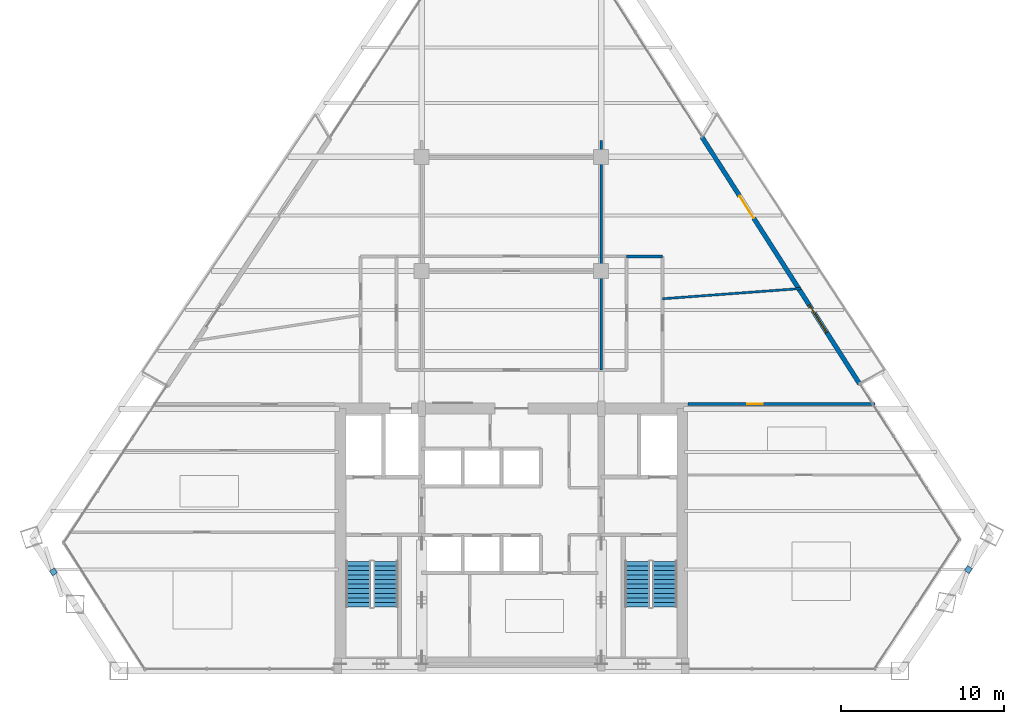
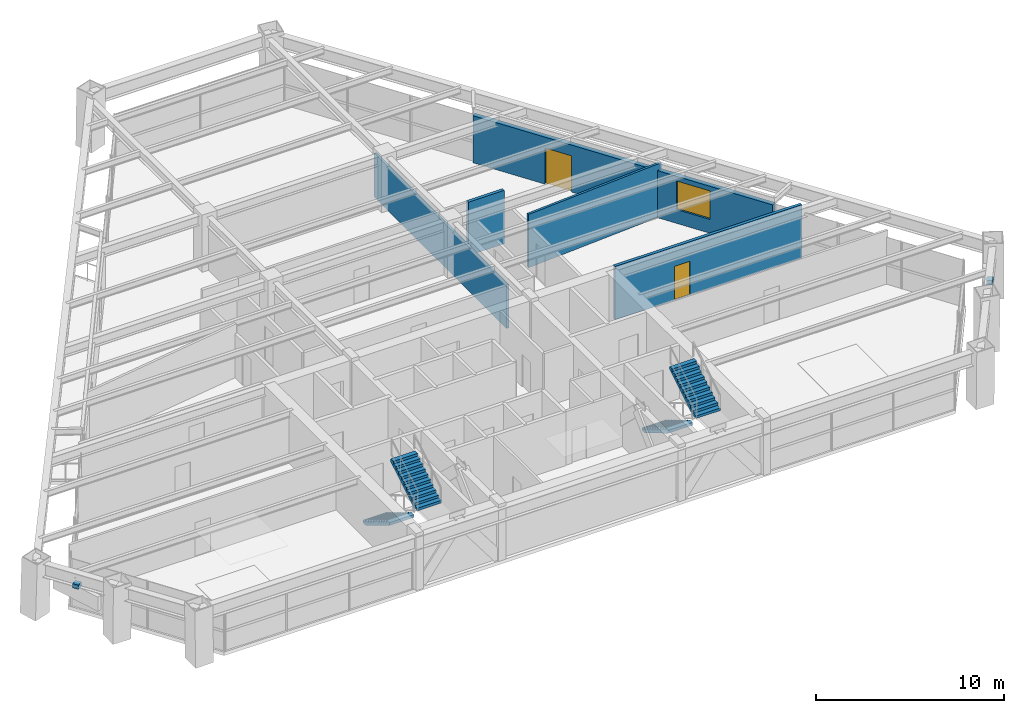
# One storey, part 12 of 14: 5 walls, 4 stair flights, 2 discrete accessories, 2 doors, 1 window, 3 openings, 2 elements without a shape of their own.
"""IFC4 building model written with IfcOpenShell, lengths in metres."""

import ifcopenshell
import ifcopenshell.guid

model = None  # the IFC model being written
_history = None  # IfcOwnerHistory: only IFC2X3 demands one
_inside = {}  # id of a spatial element -> (the spatial element, [elements in it])
_under = {}  # id of a project, library or spatial element -> (it, [spatial elements below it])
_declared = {}  # id of a project -> (the project, [libraries it declares])
_typed = {}  # id of a type object -> (the type object, [elements of that type])
_made_of = {}  # id of a material, layer set ... -> (it, [elements and type objects made of it])


def new_model(schema):
    """Start an empty IFC model of exactly this schema.

    Asked for "IFC4X3", IfcOpenShell would pick the latest addendum, in which some entities
    have other attributes; the version numbers below select the first issue.
    IFC2X3 requires an IfcOwnerHistory on every rooted entity: one is made here for all.
    """
    global model, _history
    if schema == "IFC4X3":
        model = ifcopenshell.file(schema_version=(4, 3, 0, 0))
    else:
        model = ifcopenshell.file(schema=schema)
    _inside.clear()
    _under.clear()
    _declared.clear()
    _typed.clear()
    _made_of.clear()
    _history = None
    if model.schema == "IFC2X3":
        org = make("IfcOrganization", Name="unknown")
        user = make(
            "IfcPersonAndOrganization",
            ThePerson=make("IfcPerson", FamilyName="unknown"),
            TheOrganization=org,
        )
        app = make(
            "IfcApplication",
            ApplicationDeveloper=org,
            Version="unknown",
            ApplicationFullName="unknown",
            ApplicationIdentifier="unknown",
        )
        _history = make(
            "IfcOwnerHistory",
            OwningUser=user,
            OwningApplication=app,
            ChangeAction="ADDED",
            CreationDate=0,
        )
    return model


def make(cls, **values):
    """One entity of the class cls with the attributes given. An attribute that is None is left unset."""
    return model.create_entity(
        cls, **{name: value for name, value in values.items() if value is not None}
    )


def rooted(cls, **values):
    """An entity with a GlobalId (a new one), such as an element, a storey or a relation."""
    return make(cls, GlobalId=ifcopenshell.guid.new(), OwnerHistory=_history, **values)


def si_unit(unit_type, name, prefix=None):
    """IfcSIUnit, for example si_unit("LENGTHUNIT", "METRE", prefix="MILLI")."""
    return make("IfcSIUnit", UnitType=unit_type, Prefix=prefix, Name=name)


def assignment(units):
    """IfcUnitAssignment: the units of a project."""
    return None if units is None else make("IfcUnitAssignment", Units=units)


def point(xyz):
    """IfcCartesianPoint."""
    return None if xyz is None else make("IfcCartesianPoint", Coordinates=xyz)


def direction(xyz):
    """IfcDirection."""
    return None if xyz is None else make("IfcDirection", DirectionRatios=xyz)


def frame(location, z_axis=None, x_axis=None):
    """IfcAxis2Placement3D, a coordinate frame: its origin and axes. An axis left out is left unset."""
    return make(
        "IfcAxis2Placement3D",
        Location=point(location),
        Axis=direction(z_axis),
        RefDirection=direction(x_axis),
    )


def frame_2d(location, x_axis=None):
    """IfcAxis2Placement2D, a coordinate frame in the plane: its origin and x axis."""
    return make(
        "IfcAxis2Placement2D", Location=point(location), RefDirection=direction(x_axis)
    )


def origin():
    """The frame at (0, 0, 0) with its axes left unset."""
    return frame((0.0, 0.0, 0.0))


def origin_2d():
    """The frame at (0, 0) in the plane with its x axis left unset."""
    return frame_2d((0.0, 0.0))


def place(relative_to, where):
    """IfcLocalPlacement: puts the frame where relative to a parent placement (None: the world)."""
    return make(
        "IfcLocalPlacement", PlacementRelTo=relative_to, RelativePlacement=where
    )


def context(
    kind, dimensions, precision=None, world=None, true_north=None, identifier=None
):
    """IfcGeometricRepresentationContext, for example the 3D "Model" context."""
    return make(
        "IfcGeometricRepresentationContext",
        ContextIdentifier=identifier,
        ContextType=kind,
        CoordinateSpaceDimension=dimensions,
        Precision=precision,
        WorldCoordinateSystem=world,
        TrueNorth=true_north,
    )


def subcontext(parent, identifier, kind, view, scale=None):
    """IfcGeometricRepresentationSubContext, for example "Body" below "Model"."""
    return make(
        "IfcGeometricRepresentationSubContext",
        ContextIdentifier=identifier,
        ContextType=kind,
        ParentContext=parent,
        TargetScale=scale,
        TargetView=view,
    )


def project(units=None, contexts=None):
    """IfcProject with its units and contexts."""
    return rooted(
        "IfcProject",
        Name="project",
        RepresentationContexts=contexts,
        UnitsInContext=assignment(units),
    )


def spatial(cls, under=None, at=None, **own):
    """A site, building, storey or space (cls), placed at a placement, below another one or the project."""
    s = rooted(cls, ObjectPlacement=at, **own)
    if under is not None:
        _under.setdefault(under.id(), (under, []))[1].append(s)
    return s


def polyline(points):
    """IfcPolyline through the points."""
    return make("IfcPolyline", Points=[point(p) for p in points])


def profile(cls, at=None, kind="AREA", **sizes):
    """A parametric profile (cls). Its sizes go by their IFC names, for example OverallWidth=200.0."""
    return make(cls, ProfileType=kind, Position=at, **sizes)


def rectangle(**sizes):
    """IfcRectangleProfileDef."""
    return profile("IfcRectangleProfileDef", **sizes)


def outline(outer, holes=None, kind="AREA"):
    """IfcArbitraryClosedProfileDef: a profile drawn as a closed curve; with holes, ...WithVoids."""
    if holes is None:
        return make("IfcArbitraryClosedProfileDef", ProfileType=kind, OuterCurve=outer)
    return make(
        "IfcArbitraryProfileDefWithVoids",
        ProfileType=kind,
        OuterCurve=outer,
        InnerCurves=holes,
    )


def extrude(swept, where, along, depth):
    """IfcExtrudedAreaSolid: the profile swept, set in the frame where, extruded along a direction by depth."""
    return make(
        "IfcExtrudedAreaSolid",
        SweptArea=swept,
        Position=where,
        ExtrudedDirection=direction(along),
        Depth=depth,
    )


def shape(context_of_items, identifier, shape_type, items):
    """IfcShapeRepresentation: the items that make up one representation, for example the "Body"."""
    return make(
        "IfcShapeRepresentation",
        ContextOfItems=context_of_items,
        RepresentationIdentifier=identifier,
        RepresentationType=shape_type,
        Items=items,
    )


def source(mapping_origin, context_of_items, identifier, shape_type, items):
    """IfcRepresentationMap: a shape defined once, which mapped items show again and again."""
    return make(
        "IfcRepresentationMap",
        MappingOrigin=mapping_origin,
        MappedRepresentation=shape(context_of_items, identifier, shape_type, items),
    )


def transform(
    local_origin,
    x_axis=None,
    y_axis=None,
    z_axis=None,
    scale=None,
    scale2=None,
    scale3=None,
    uniform=True,
):
    """IfcCartesianTransformationOperator3D, or its non-uniform kind. x_axis, y_axis, z_axis: its Axis1, 2, 3."""
    if uniform:
        return make(
            "IfcCartesianTransformationOperator3D",
            Axis1=direction(x_axis),
            Axis2=direction(y_axis),
            LocalOrigin=point(local_origin),
            Scale=scale,
            Axis3=direction(z_axis),
        )
    return make(
        "IfcCartesianTransformationOperator3DnonUniform",
        Axis1=direction(x_axis),
        Axis2=direction(y_axis),
        LocalOrigin=point(local_origin),
        Scale=scale,
        Axis3=direction(z_axis),
        Scale2=scale2,
        Scale3=scale3,
    )


def mapped(mapping_source, mapping_target):
    """IfcMappedItem: shows the shape of a source again, moved by a transform."""
    return make(
        "IfcMappedItem", MappingSource=mapping_source, MappingTarget=mapping_target
    )


def material(Name=None, Category=None):
    """IfcMaterial."""
    return make("IfcMaterial", Name=Name, Category=Category)


def layer(
    of_material, thickness, ventilated=None, Name=None, Category=None, Priority=None
):
    """IfcMaterialLayer: one layer of a wall or slab, of a material (None: an air gap)."""
    return make(
        "IfcMaterialLayer",
        Material=of_material,
        LayerThickness=thickness,
        IsVentilated=ventilated,
        Name=Name,
        Category=Category,
        Priority=Priority,
    )


def layer_set(layers, Name=None):
    """IfcMaterialLayerSet."""
    return make("IfcMaterialLayerSet", MaterialLayers=layers, LayerSetName=Name)


def made_of(thing, what):
    """Note that an element or type object is made of a material, layer set ...; save() writes the relation."""
    if what is not None:
        _made_of.setdefault(what.id(), (what, []))[1].append(thing)
    return thing


def type_object(cls, material=None, **own):
    """A type object (cls), such as IfcWallType, which elements share."""
    return made_of(rooted(cls, **own), material)


def type_shapes(of_type, sources):
    """Give a type object the sources (RepresentationMaps) that its elements show as mapped items."""
    of_type.RepresentationMaps = sources


def element(
    cls,
    number,
    at=None,
    inside=None,
    cuts=None,
    type_object=None,
    material=None,
    context=None,
    identifier="Body",
    shape_type=None,
    held_by="IfcProductDefinitionShape",
    body=None,
    shapes=None,
    **own,
):
    """One element of the class cls, such as IfcWall. Its Tag is "e" and its number.

    at: its placement. inside: the storey or other place that contains it. cuts: it is an
    opening in that element (IfcRelVoidsElement). A single representation is given by context,
    identifier, shape_type and body (its items); several are given by shapes. held_by: the class
    of the entity that holds the representations. save() writes the other relations.
    """
    e = rooted(cls, Tag="e%d" % number, ObjectPlacement=at, **own)
    if body is not None:
        shapes = [shape(context, identifier, shape_type, body)]
    if shapes is not None:
        e.Representation = make(held_by, Representations=shapes)
    if inside is not None:
        _inside.setdefault(inside.id(), (inside, []))[1].append(e)
    if cuts is not None:
        rooted(
            "IfcRelVoidsElement", RelatingBuildingElement=cuts, RelatedOpeningElement=e
        )
    if type_object is not None:
        _typed.setdefault(type_object.id(), (type_object, []))[1].append(e)
    return made_of(e, material)


def fill(opening, filler):
    """IfcRelFillsElement: the door or window that sits in an opening."""
    return rooted(
        "IfcRelFillsElement",
        RelatingOpeningElement=opening,
        RelatedBuildingElement=filler,
    )


def aggregate(whole, parts):
    """IfcRelAggregates: a whole, such as a stair, and the parts it consists of."""
    return rooted("IfcRelAggregates", RelatingObject=whole, RelatedObjects=parts)


def save(model, path):
    """Write the relations noted so far, then the file.

    IfcRelAggregates (storeys below a building ...), IfcRelContainedInSpatialStructure (elements
    in a storey), IfcRelDefinesByType, IfcRelAssociatesMaterial and IfcRelDeclares: one each for
    every whole, place, type object, material and project.
    """
    for whole, parts in _under.values():
        aggregate(whole, parts)
    for where, things in _inside.values():
        rooted(
            "IfcRelContainedInSpatialStructure",
            RelatedElements=things,
            RelatingStructure=where,
        )
    for kind, things in _typed.values():
        rooted("IfcRelDefinesByType", RelatedObjects=things, RelatingType=kind)
    for what, things in _made_of.values():
        rooted("IfcRelAssociatesMaterial", RelatedObjects=things, RelatingMaterial=what)
    for by, libraries in _declared.values():
        rooted("IfcRelDeclares", RelatingContext=by, RelatedDefinitions=libraries)
    model.write(path)


model = new_model("IFC4")

# Units and contexts
model_context = context("Model", 3, precision=1e-05, world=origin(), true_north=direction((0.0, 1.0)))
body_context = subcontext(model_context, "Body", "Model", "MODEL_VIEW")
ifc_project = project(units=[si_unit("LENGTHUNIT", "METRE"), si_unit("AREAUNIT", "SQUARE_METRE"), si_unit("VOLUMEUNIT", "CUBIC_METRE"), si_unit("PLANEANGLEUNIT", "RADIAN"), si_unit("MASSUNIT", "GRAM", prefix="KILO")], contexts=[model_context])

# Site, building, storey
site_placement = place(None, origin())
site = spatial("IfcSite", under=ifc_project, at=site_placement, CompositionType="ELEMENT")
building_placement = place(site_placement, origin())
building = spatial("IfcBuilding", under=site, at=building_placement, Name="Varnakhor Terracotta Tower", CompositionType="ELEMENT")
storey_placement = place(building_placement, frame((0.0, 0.0, 129.300048828125)))
storey = spatial("IfcBuildingStorey", under=building, at=storey_placement, Name="L32", CompositionType="ELEMENT", Elevation=129.300048828125)

# Wall
ifc_material_1 = material(Name="Fire-Rated Gypsum Stud Partition", Category="gypsum")
ifc_layer_1 = layer(ifc_material_1, 0.18505859375, Name="Fire-Rated Gypsum Stud Partition")
ifc_layer_set_1 = layer_set([ifc_layer_1], Name="Fire-Rated Gypsum Stud Partition")
wall_type_1 = type_object("IfcWallType", Name="WAL-CORR-185", PredefinedType="PARTITIONING", material=ifc_layer_set_1)
wall_1_placement = place(storey_placement, frame((7.050048828125, 25.39990234375, 0.0), z_axis=(0.0, 0.0, 1.0), x_axis=(1.0, 0.0, 0.0)))
element("IfcWall", 1, at=wall_1_placement, inside=storey, type_object=wall_type_1, Name="L32 East Gallery North End", PredefinedType="PARTITIONING", context=body_context, shape_type="SweptSolid", body=[
    extrude(rectangle(XDim=2.199951171875, YDim=0.18505859375, at=frame_2d((1.10009765625, 0.0))), origin(), (0.0, 0.0, 1.0), 3.4619140625),
])

# Wall, opening, door
wall_2_placement = place(storey_placement, frame((10.820068359375, 16.35009765625, 0.0), z_axis=(0.0, 0.0, 1.0), x_axis=(1.0, 0.0, 0.0)))
wall_2 = element("IfcWall", 2, at=wall_2_placement, inside=storey, type_object=wall_type_1, Name="L32 South East Entry Wall", PredefinedType="PARTITIONING", context=body_context, shape_type="SweptSolid", body=[
    extrude(rectangle(XDim=11.4609375, YDim=0.18505859375, at=frame_2d((5.73046875, 0.0))), origin(), (0.0, 0.0, 1.0), 3.4619140625),
])
opening_1_placement = place(wall_2_placement, frame((3.63818359375, 0.0, 0.0)))
opening_1 = element("IfcOpeningElement", 3, at=opening_1_placement, cuts=wall_2, Name="Opening DR-94", PredefinedType="OPENING", context=body_context, shape_type="SweptSolid", body=[
    extrude(rectangle(XDim=0.949951171875, YDim=2.199951171875, at=frame_2d((0.47509765625, 1.10009765625))), frame((0.0, 0.1025390625, 0.0), z_axis=(0.0, -1.0, 0.0), x_axis=(1.0, 0.0, 0.0)), (0.0, 0.0, 1.0), 0.205078125),
])
ifc_material_2 = material(Name="Acoustic Glazed-Vision Timber Office Door", Category="wood")
door_type_1 = type_object("IfcDoorType", Name="DR-OFF-950X2200", OperationType="NOTDEFINED", PredefinedType="DOOR", material=ifc_material_2)
shared_shape_1 = source(origin(), body_context, "Body", "SweptSolid", [
    extrude(rectangle(XDim=0.949951171875, YDim=2.199951171875, at=frame_2d((0.47509765625, 1.10009765625))), frame((0.0, 0.02490234375, 0.0), z_axis=(0.0, -1.0, 0.0), x_axis=(1.0, 0.0, 0.0)), (0.0, 0.0, 1.0), 0.050048828125),
])
type_shapes(door_type_1, [shared_shape_1])
door_1_placement = place(opening_1_placement, origin())
door_1 = element("IfcDoor", 4, at=door_1_placement, inside=storey, type_object=door_type_1, Name="L32 SE Suite Door", OperationType="SINGLE_SWING_RIGHT", OverallHeight=2.199951171875, OverallWidth=0.949951171875, PredefinedType="DOOR", context=body_context, shape_type="MappedRepresentation", body=[
    mapped(shared_shape_1, transform((0.0, 0.0, 0.0), scale=1.0)),
])
fill(opening_1, door_1)

# Wall, openings, door, window
ifc_material_3 = material(Name="Extruded Architectural Terracotta Assembly", Category="masonry")
ifc_layer_2 = layer(ifc_material_3, 0.280029296875, Name="Extruded Architectural Terracotta Assembly")
ifc_layer_set_2 = layer_set([ifc_layer_2], Name="Extruded Architectural Terracotta Assembly")
wall_type_2 = type_object("IfcWallType", Name="WAL-EXT-TERRACOTTA-280", PredefinedType="SOLIDWALL", material=ifc_layer_set_2)
wall_3_placement = place(storey_placement, frame((11.67333984375, 32.716796875, 0.0), z_axis=(0.0, 0.0, 1.0), x_axis=(0.538267430492, -0.842774093854, 0.0)))
wall_3 = element("IfcWall", 5, at=wall_3_placement, inside=storey, type_object=wall_type_2, Name="L32 E Loggia Insulated Terracotta Wall", PredefinedType="SOLIDWALL", context=body_context, shape_type="SweptSolid", body=[
    extrude(rectangle(XDim=17.94482421875, YDim=0.280029296875, at=frame_2d((8.972412109375, 0.0))), origin(), (0.0, 0.0, 1.0), 3.050048828125),
])
opening_2_placement = place(wall_3_placement, frame((4.306884765625, 0.0, 0.0)))
opening_2 = element("IfcOpeningElement", 6, at=opening_2_placement, cuts=wall_3, Name="Opening DR-62", PredefinedType="OPENING", context=body_context, shape_type="SweptSolid", body=[
    extrude(rectangle(XDim=1.60009765625, YDim=2.35009765625, at=frame_2d((0.800048828125, 1.175048828125))), frame((0.0, 0.14990234375, 0.0), z_axis=(0.0, -1.0, 0.0), x_axis=(1.0, 0.0, 0.0)), (0.0, 0.0, 1.0), 0.300048828125),
])
opening_3_placement = place(wall_3_placement, frame((12.202392578125, 0.0, 0.89990234375)))
opening_3 = element("IfcOpeningElement", 7, at=opening_3_placement, cuts=wall_3, Name="Opening WN-26", PredefinedType="OPENING", context=body_context, shape_type="SweptSolid", body=[
    extrude(rectangle(XDim=2.0, YDim=1.85009765625, at=frame_2d((1.0, 0.925048828125))), frame((0.0, 0.14990234375, 0.0), z_axis=(0.0, -1.0, 0.0), x_axis=(1.0, 0.0, 0.0)), (0.0, 0.0, 1.0), 0.300048828125),
])
ifc_material_4 = material(Name="Thermally Broken Sliding Glass Loggia Door", Category="glass")
door_type_2 = type_object("IfcDoorType", Name="DR-EXT-LOGGIA-1600X2350", OperationType="NOTDEFINED", PredefinedType="DOOR", material=ifc_material_4)
shared_shape_2 = source(origin(), body_context, "Body", "SweptSolid", [
    extrude(rectangle(XDim=1.60009765625, YDim=2.35009765625, at=frame_2d((0.800048828125, 1.175048828125))), frame((0.0, 0.02490234375, 0.0), z_axis=(0.0, -1.0, 0.0), x_axis=(1.0, 0.0, 0.0)), (0.0, 0.0, 1.0), 0.050048828125),
])
type_shapes(door_type_2, [shared_shape_2])
door_2_placement = place(opening_2_placement, origin())
door_2 = element("IfcDoor", 8, at=door_2_placement, inside=storey, type_object=door_type_2, Name="L32 E Recessed Loggia Sliding Door", OperationType="SLIDING_TO_RIGHT", OverallHeight=2.35009765625, OverallWidth=1.60009765625, PredefinedType="DOOR", context=body_context, shape_type="MappedRepresentation", body=[
    mapped(shared_shape_2, transform((0.0, 0.0, 0.0), scale=1.0)),
])
fill(opening_2, door_2)
ifc_material_5 = material(Name="Solar-Control Low-E Insulated Glass Unit", Category="glass")
window_type = type_object("IfcWindowType", Name="WIN-OFF-2200X2100", PartitioningType="SINGLE_PANEL", PredefinedType="WINDOW", material=ifc_material_5)
shared_shape_3 = source(origin(), body_context, "Body", "SweptSolid", [
    extrude(rectangle(XDim=2.0, YDim=1.85009765625, at=frame_2d((1.0, 0.925048828125))), frame((0.0, 0.030029296875, 0.0), z_axis=(0.0, -1.0, 0.0), x_axis=(1.0, 0.0, 0.0)), (0.0, 0.0, 1.0), 0.06005859375),
])
type_shapes(window_type, [shared_shape_3])
window_placement = place(opening_3_placement, origin())
window = element("IfcWindow", 9, at=window_placement, inside=storey, type_object=window_type, Name="L32 E Facet Punched Window", OverallHeight=1.85009765625, OverallWidth=2.0, PartitioningType="SINGLE_PANEL", PredefinedType="WINDOW", context=body_context, shape_type="MappedRepresentation", body=[
    mapped(shared_shape_3, transform((0.0, 0.0, 0.0), scale=1.0)),
])
fill(opening_3, window)

# Walls
ifc_material_6 = material(Name="Acoustic Metal-Stud Partition", Category="gypsum")
ifc_layer_3 = layer(ifc_material_6, 0.139892578125, Name="Acoustic Metal-Stud Partition")
ifc_layer_set_3 = layer_set([ifc_layer_3], Name="Acoustic Metal-Stud Partition")
wall_type_3 = type_object("IfcWallType", Name="WAL-PART-140", PredefinedType="PARTITIONING", material=ifc_layer_set_3)
wall_4_placement = place(storey_placement, frame((5.5, 18.449951171875, 0.0), z_axis=(0.0, 0.0, 1.0), x_axis=(0.0, 1.0, 0.0)))
element("IfcWall", 10, at=wall_4_placement, inside=storey, type_object=wall_type_3, Name="L32 Center East Column Wall", PredefinedType="PARTITIONING", context=body_context, shape_type="SweptSolid", body=[
    extrude(rectangle(XDim=14.050048828125, YDim=0.139892578125, at=frame_2d((7.02490234375, 0.0))), origin(), (0.0, 0.0, 1.0), 2.845947265625),
])
wall_5_placement = place(storey_placement, frame((9.25, 22.800048828125, 0.0), z_axis=(0.0, 0.0, 1.0), x_axis=(0.997273450808, 0.073794744488, 0.0)))
element("IfcWall", 11, at=wall_5_placement, inside=storey, type_object=wall_type_3, Name="L32 East Wing Cut 2", PredefinedType="PARTITIONING", context=body_context, shape_type="SweptSolid", body=[
    extrude(rectangle(XDim=8.5322265625, YDim=0.139892578125, at=frame_2d((4.26611328125, 0.0))), origin(), (0.0, 0.0, 1.0), 3.4619140625),
])

# Stair, stair flights
ifc_material_7 = material(Name="Concrete C40/50", Category="concrete")
stair_type = type_object("IfcStairType", Name="STR-CORE-OFFICE-1500", PredefinedType="HALF_TURN_STAIR", material=ifc_material_7)
stair_1_placement = place(storey_placement, origin())
stair_1 = element("IfcStair", 12, at=stair_1_placement, inside=storey, type_object=stair_type, Name="L32 Core Exit Stair ST-1", PredefinedType="HALF_TURN_STAIR")
stair_flight_type = type_object("IfcStairFlightType", Name="FLT-CORE-1500", PredefinedType="STRAIGHT", material=ifc_material_7)
stair_flight_1_placement = place(storey_placement, frame((-9.39990234375, 6.7099609375, 0.0), z_axis=(0.0, 0.0, 1.0), x_axis=(0.0, -1.0, 0.0)))
stair_flight_1 = element("IfcStairFlight", 13, at=stair_flight_1_placement, type_object=stair_flight_type, Name="ST-1 flight 1", NumberOfRisers=11, NumberOfTreads=10, PredefinedType="STRAIGHT", RiserHeight=0.168181818, TreadLength=0.28, context=body_context, shape_type="SweptSolid", body=[
    extrude(outline(polyline([(0.0, 0.0), (0.0, 0.168212890625), (0.280029296875, 0.168212890625), (0.280029296875, 0.33642578125), (0.56005859375, 0.33642578125), (0.56005859375, 0.504638671875), (0.840087890625, 0.504638671875), (0.840087890625, 0.672607421875), (1.1201171875, 0.672607421875), (1.1201171875, 0.8408203125), (1.39990234375, 0.8408203125), (1.39990234375, 1.009033203125), (1.679931640625, 1.009033203125), (1.679931640625, 1.17724609375), (1.9599609375, 1.17724609375), (1.9599609375, 1.345458984375), (2.239990234375, 1.345458984375), (2.239990234375, 1.513671875), (2.52001953125, 1.513671875), (2.52001953125, 1.681884765625), (2.800048828125, 1.681884765625), (2.800048828125, 1.85009765625), (2.800048828125, 1.495361328125), (0.310546875, 0.0), (0.0, 0.0)])), frame((0.0, 0.75, 0.0), z_axis=(0.0, -1.0, 0.0), x_axis=(1.0, 0.0, 0.0)), (0.0, 0.0, 1.0), 1.5),
])
stair_flight_2_placement = place(storey_placement, frame((-7.699951171875, 3.909912109375, 1.849853515625), z_axis=(0.0, 0.0, 1.0), x_axis=(0.0, 1.0, 0.0)))
stair_flight_2 = element("IfcStairFlight", 14, at=stair_flight_2_placement, type_object=stair_flight_type, Name="ST-1 flight 2", NumberOfRisers=11, NumberOfTreads=10, PredefinedType="STRAIGHT", RiserHeight=0.168181818, TreadLength=0.28, context=body_context, shape_type="SweptSolid", body=[
    extrude(outline(polyline([(0.0, 0.0), (0.0, 0.168212890625), (0.280029296875, 0.168212890625), (0.280029296875, 0.33642578125), (0.56005859375, 0.33642578125), (0.56005859375, 0.504638671875), (0.840087890625, 0.504638671875), (0.840087890625, 0.672607421875), (1.1201171875, 0.672607421875), (1.1201171875, 0.8408203125), (1.39990234375, 0.8408203125), (1.39990234375, 1.009033203125), (1.679931640625, 1.009033203125), (1.679931640625, 1.17724609375), (1.9599609375, 1.17724609375), (1.9599609375, 1.345458984375), (2.239990234375, 1.345458984375), (2.239990234375, 1.513671875), (2.52001953125, 1.513671875), (2.52001953125, 1.681884765625), (2.800048828125, 1.681884765625), (2.800048828125, 1.85009765625), (2.800048828125, 1.495361328125), (0.310546875, 0.0), (0.0, 0.0)])), frame((0.0, 0.75, 0.0), z_axis=(0.0, -1.0, 0.0), x_axis=(1.0, 0.0, 0.0)), (0.0, 0.0, 1.0), 1.5),
])
aggregate(stair_1, [stair_flight_1, stair_flight_2])

stair_2_placement = place(storey_placement, origin())
stair_2 = element("IfcStair", 15, at=stair_2_placement, inside=storey, type_object=stair_type, Name="L32 Core Exit Stair ST-2", PredefinedType="HALF_TURN_STAIR")
stair_flight_3_placement = place(storey_placement, frame((7.699951171875, 6.7099609375, 0.0), z_axis=(0.0, 0.0, 1.0), x_axis=(0.0, -1.0, 0.0)))
stair_flight_3 = element("IfcStairFlight", 16, at=stair_flight_3_placement, type_object=stair_flight_type, Name="ST-2 flight 1", NumberOfRisers=11, NumberOfTreads=10, PredefinedType="STRAIGHT", RiserHeight=0.168181818, TreadLength=0.28, context=body_context, shape_type="SweptSolid", body=[
    extrude(outline(polyline([(0.0, 0.0), (0.0, 0.168212890625), (0.280029296875, 0.168212890625), (0.280029296875, 0.33642578125), (0.56005859375, 0.33642578125), (0.56005859375, 0.504638671875), (0.840087890625, 0.504638671875), (0.840087890625, 0.672607421875), (1.1201171875, 0.672607421875), (1.1201171875, 0.8408203125), (1.39990234375, 0.8408203125), (1.39990234375, 1.009033203125), (1.679931640625, 1.009033203125), (1.679931640625, 1.17724609375), (1.9599609375, 1.17724609375), (1.9599609375, 1.345458984375), (2.239990234375, 1.345458984375), (2.239990234375, 1.513671875), (2.52001953125, 1.513671875), (2.52001953125, 1.681884765625), (2.800048828125, 1.681884765625), (2.800048828125, 1.85009765625), (2.800048828125, 1.495361328125), (0.310546875, 0.0), (0.0, 0.0)])), frame((0.0, 0.75, 0.0), z_axis=(0.0, -1.0, 0.0), x_axis=(1.0, 0.0, 0.0)), (0.0, 0.0, 1.0), 1.5),
])
stair_flight_4_placement = place(storey_placement, frame((9.39990234375, 3.909912109375, 1.849853515625), z_axis=(0.0, 0.0, 1.0), x_axis=(0.0, 1.0, 0.0)))
stair_flight_4 = element("IfcStairFlight", 17, at=stair_flight_4_placement, type_object=stair_flight_type, Name="ST-2 flight 2", NumberOfRisers=11, NumberOfTreads=10, PredefinedType="STRAIGHT", RiserHeight=0.168181818, TreadLength=0.28, context=body_context, shape_type="SweptSolid", body=[
    extrude(outline(polyline([(0.0, 0.0), (0.0, 0.168212890625), (0.280029296875, 0.168212890625), (0.280029296875, 0.33642578125), (0.56005859375, 0.33642578125), (0.56005859375, 0.504638671875), (0.840087890625, 0.504638671875), (0.840087890625, 0.672607421875), (1.1201171875, 0.672607421875), (1.1201171875, 0.8408203125), (1.39990234375, 0.8408203125), (1.39990234375, 1.009033203125), (1.679931640625, 1.009033203125), (1.679931640625, 1.17724609375), (1.9599609375, 1.17724609375), (1.9599609375, 1.345458984375), (2.239990234375, 1.345458984375), (2.239990234375, 1.513671875), (2.52001953125, 1.513671875), (2.52001953125, 1.681884765625), (2.800048828125, 1.681884765625), (2.800048828125, 1.85009765625), (2.800048828125, 1.495361328125), (0.310546875, 0.0), (0.0, 0.0)])), frame((0.0, 0.75, 0.0), z_axis=(0.0, -1.0, 0.0), x_axis=(1.0, 0.0, 0.0)), (0.0, 0.0, 1.0), 1.5),
])
aggregate(stair_2, [stair_flight_3, stair_flight_4])

# Discrete accessories
ifc_material_8 = material(Name="Stainless Steel Fixing Bracket", Category="steel")
discrete_accessory_type = type_object("IfcDiscreteAccessoryType", Name="BRACKET-TERRACOTTA-SCREEN", PredefinedType="BRACKET", material=ifc_material_8)
shared_shape_4 = source(origin(), body_context, "Body", "SweptSolid", [
    extrude(rectangle(XDim=0.35009765625, YDim=0.35009765625, at=origin_2d()), origin(), (0.0, 0.0, 1.0), 0.280029296875),
])
type_shapes(discrete_accessory_type, [shared_shape_4])
for number, where, z_axis, x_axis, name in (
    (18, (28.00341796875, 6.20458984375, 2.48486328125), (0.0, 0.0, 1.0), (0.556687145924, 0.830722228884, 0.0), "L32 E Screen Fixing Bracket"),
    (19, (-28.061767578125, 6.0615234375, 2.48486328125), (0.0, 0.0, 1.0), (0.547300319214, -0.836936294223, 0.0), "L32 W Screen Fixing Bracket"),
):
    element("IfcDiscreteAccessory", number, at=place(storey_placement, frame(where, z_axis=z_axis, x_axis=x_axis)), inside=storey, type_object=discrete_accessory_type, Name=name, PredefinedType="BRACKET", context=body_context, shape_type="MappedRepresentation", body=[
        mapped(shared_shape_4, transform((0.0, 0.0, 0.0), scale=1.0)),
    ])

save(model, "model.ifc")
